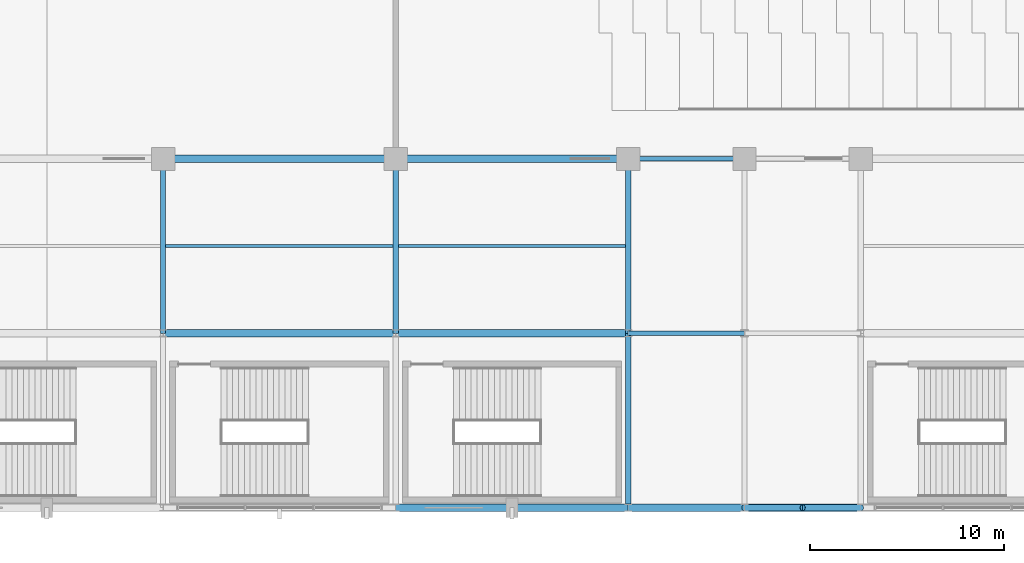
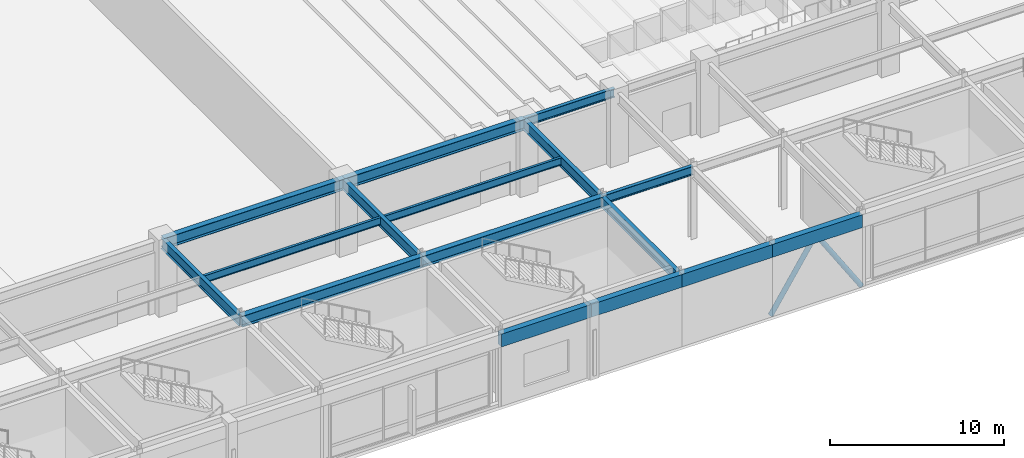
# One storey, part 28 of 100: 16 beams, 2 members.
"""IFC4 building model written with IfcOpenShell, lengths in metres."""

from ifc_helpers import new_model, si_unit, direction, frame, origin, origin_2d, place, context, subcontext, project, spatial, rectangle, hollow_circle, i_section, extrude, material, material_profile, profile_set, type_object, element, save


model = new_model("IFC4")

# Units and contexts
model_context = context("Model", 3, precision=1e-05, world=origin(), true_north=direction((0.0, 1.0)))
body_context = subcontext(model_context, "Body", "Model", "MODEL_VIEW")
ifc_project = project(units=[si_unit("LENGTHUNIT", "METRE"), si_unit("AREAUNIT", "SQUARE_METRE"), si_unit("VOLUMEUNIT", "CUBIC_METRE"), si_unit("PLANEANGLEUNIT", "RADIAN"), si_unit("MASSUNIT", "GRAM", prefix="KILO")], contexts=[model_context])

# Site, building, storey
site_placement = place(None, origin())
site = spatial("IfcSite", under=ifc_project, at=site_placement, CompositionType="ELEMENT")
building_placement = place(site_placement, origin())
building = spatial("IfcBuilding", under=site, at=building_placement, Name="Kaldorvane Square Convention Centre", CompositionType="ELEMENT")
storey_placement = place(building_placement, frame((0.0, 0.0, 18.0)))
storey = spatial("IfcBuildingStorey", under=building, at=storey_placement, Name="L03", CompositionType="ELEMENT", Elevation=18.0)

# Beams
ifc_material_1 = material(Name="Steel ASTM A992 Gr. 50", Category="steel")
ifc_material_profile_1 = material_profile(ifc_material_1, i_section(OverallWidth=0.2303009033203125, OverallDepth=0.61749267578125, WebThickness=0.0131072998046875, FlangeThickness=0.0222015380859375, FilletRadius=0.0126953125, at=origin_2d()), Name="W24X94")
ifc_profile_set_1 = profile_set([ifc_material_profile_1], Name="Steel ASTM A992 Gr. 50")
beam_type_1 = type_object("IfcBeamType", Name="BM-GR-W24X94", PredefinedType="BEAM", material=ifc_profile_set_1)
for number, where, z_axis, x_axis, name in (
    (1, (90.0, 9.0, 4.7671966552734375), (1.0, 0.0, 0.0), (0.0, 1.0, 0.0), "Primary Girder (L03)"),
    (2, (90.0, 18.0, 4.7671966552734375), (1.0, 0.0, 0.0), (0.0, 1.0, 0.0), "Primary Girder (L03)"),
):
    element("IfcBeam", number, at=place(storey_placement, frame(where, z_axis=z_axis, x_axis=x_axis)), inside=storey, type_object=beam_type_1, Name=name, PredefinedType="BEAM", context=body_context, shape_type="SweptSolid", body=[
        extrude(i_section(OverallWidth=0.2303009033203125, OverallDepth=0.61749267578125, WebThickness=0.0131072998046875, FlangeThickness=0.0222015380859375, FilletRadius=0.0126953125, at=origin_2d()), origin(), (0.0, 0.0, 1.0), 6.0),
    ])
ifc_material_profile_2 = material_profile(ifc_material_1, i_section(OverallWidth=0.2666015625, OverallDepth=0.762298583984375, WebThickness=0.014404296875, FlangeThickness=0.0216064453125, FilletRadius=0.0164947509765625, at=origin_2d()), Name="W30X116")
ifc_profile_set_2 = profile_set([ifc_material_profile_2], Name="Steel ASTM A992 Gr. 50")
beam_type_2 = type_object("IfcBeamType", Name="BM-GR-W30X116", PredefinedType="BEAM", material=ifc_profile_set_2)
for number, where, z_axis, x_axis, name in (
    (3, (66.0, 9.0, 4.694793701171875), (0.0, 1.0, 0.0), (-1.0, 0.0, 0.0), "Transverse Girder (L03)"),
    (4, (78.0, 9.0, 4.694793701171875), (0.0, 1.0, 0.0), (-1.0, 0.0, 0.0), "Transverse Girder (L03)"),
    (5, (90.0, 0.0, 4.694793701171875), (0.0, 1.0, 0.0), (-1.0, 0.0, 0.0), "Transverse Girder (L03)"),
    (6, (90.0, 9.0, 4.694793701171875), (0.0, 1.0, 0.0), (-1.0, 0.0, 0.0), "Transverse Girder (L03)"),
):
    element("IfcBeam", number, at=place(storey_placement, frame(where, z_axis=z_axis, x_axis=x_axis)), inside=storey, type_object=beam_type_2, Name=name, PredefinedType="BEAM", context=body_context, shape_type="SweptSolid", body=[
        extrude(i_section(OverallWidth=0.2666015625, OverallDepth=0.762298583984375, WebThickness=0.014404296875, FlangeThickness=0.0216064453125, FilletRadius=0.0164947509765625, at=origin_2d()), origin(), (0.0, 0.0, 1.0), 9.0),
    ])
ifc_material_profile_3 = material_profile(ifc_material_1, i_section(OverallWidth=0.380706787109375, OverallDepth=0.773193359375, WebThickness=0.0166015625, FlangeThickness=0.027099609375, FilletRadius=0.0164947509765625, at=origin_2d()), Name="W30X173")
ifc_profile_set_3 = profile_set([ifc_material_profile_3], Name="Steel ASTM A992 Gr. 50")
beam_type_3 = type_object("IfcBeamType", Name="BM-GR-W30X173", PredefinedType="BEAM", material=ifc_profile_set_3)
for number, where, z_axis, x_axis, name in (
    (7, (66.0, 9.0, 4.6894073486328125), (1.0, 0.0, 0.0), (0.0, 1.0, 0.0), "Primary Girder (L03)"),
    (8, (78.0, 9.0, 4.6894073486328125), (1.0, 0.0, 0.0), (0.0, 1.0, 0.0), "Primary Girder (L03)"),
    (9, (66.0, 18.0, 4.6894073486328125), (1.0, 0.0, 0.0), (0.0, 1.0, 0.0), "Primary Girder (L03)"),
    (10, (78.0, 18.0, 4.6894073486328125), (1.0, 0.0, 0.0), (0.0, 1.0, 0.0), "Primary Girder (L03)"),
):
    element("IfcBeam", number, at=place(storey_placement, frame(where, z_axis=z_axis, x_axis=x_axis)), inside=storey, type_object=beam_type_3, Name=name, PredefinedType="BEAM", context=body_context, shape_type="SweptSolid", body=[
        extrude(i_section(OverallWidth=0.380706787109375, OverallDepth=0.773193359375, WebThickness=0.0166015625, FlangeThickness=0.027099609375, FilletRadius=0.0164947509765625, at=origin_2d()), origin(), (0.0, 0.0, 1.0), 12.0),
    ])
ifc_material_profile_4 = material_profile(ifc_material_1, i_section(OverallWidth=0.1658935546875, OverallDepth=0.5290985107421875, WebThickness=0.00970458984375, FlangeThickness=0.0135955810546875, FilletRadius=0.0126953125, at=origin_2d()), Name="W21X50")
ifc_profile_set_4 = profile_set([ifc_material_profile_4], Name="Steel ASTM A992 Gr. 50")
beam_type_4 = type_object("IfcBeamType", Name="BM-JS-W21X50", PredefinedType="JOIST", material=ifc_profile_set_4)
for number, where, z_axis, x_axis, name in (
    (11, (66.13330078125, 13.5, 4.8114013671875), (1.0, 0.0, 0.0), (0.0, 1.0, 0.0), "Secondary Floor Joist (L03)"),
    (12, (78.13330078125, 13.5, 4.8114013671875), (1.0, 0.0, 0.0), (0.0, 1.0, 0.0), "Secondary Floor Joist (L03)"),
):
    element("IfcBeam", number, at=place(storey_placement, frame(where, z_axis=z_axis, x_axis=x_axis)), inside=storey, type_object=beam_type_4, Name=name, PredefinedType="JOIST", context=body_context, shape_type="SweptSolid", body=[
        extrude(i_section(OverallWidth=0.1658935546875, OverallDepth=0.5290985107421875, WebThickness=0.00970458984375, FlangeThickness=0.0135955810546875, FilletRadius=0.0126953125, at=origin_2d()), origin(), (0.0, 0.0, 1.0), 11.7333984375),
    ])
ifc_material_2 = material(Name="Concrete f'c = 42 MPa (Normalweight)", Category="concrete")
ifc_material_profile_5 = material_profile(ifc_material_2, rectangle(XDim=0.399993896484375, YDim=0.899993896484375, at=origin_2d()), Name="RCSP900X400")
ifc_profile_set_5 = profile_set([ifc_material_profile_5], Name="Concrete f'c = 42 MPa (Normalweight)")
beam_type_5 = type_object("IfcBeamType", Name="BM-SP-RC900", PredefinedType="SPANDREL", material=ifc_profile_set_5)
for number, where, z_axis, x_axis, name in (
    (13, (78.0, 0.0, 4.626007080078125), (1.0, 0.0, 0.0), (0.0, 1.0, 0.0), "Perimeter Spandrel (L03)"),
    (14, (84.0, 0.0, 4.626007080078125), (1.0, 0.0, 0.0), (0.0, 1.0, 0.0), "Perimeter Spandrel (L03)"),
    (15, (90.0, 0.0, 4.626007080078125), (1.0, 0.0, 0.0), (0.0, 1.0, 0.0), "Perimeter Spandrel (L03)"),
    (16, (96.0, 0.0, 4.626007080078125), (1.0, 0.0, 0.0), (0.0, 1.0, 0.0), "Perimeter Spandrel (L03)"),
):
    element("IfcBeam", number, at=place(storey_placement, frame(where, z_axis=z_axis, x_axis=x_axis)), inside=storey, type_object=beam_type_5, Name=name, PredefinedType="SPANDREL", context=body_context, shape_type="SweptSolid", body=[
        extrude(rectangle(XDim=0.399993896484375, YDim=0.899993896484375, at=origin_2d()), origin(), (0.0, 0.0, 1.0), 6.0),
    ])

# Members
ifc_material_3 = material(Name="Steel ASTM A500 Gr. C", Category="steel")
ifc_material_profile_6 = material_profile(ifc_material_3, hollow_circle(Radius=0.161956787109375, WallThickness=0.0117950439453125, at=origin_2d()), Name="HSS12.750X0.500")
ifc_profile_set_6 = profile_set([ifc_material_profile_6], Name="Steel ASTM A500 Gr. C")
member_type = type_object("IfcMemberType", Name="MB-BR-CHS12", PredefinedType="BRACE", material=ifc_profile_set_6)
for number, where, z_axis, x_axis, name in (
    (17, (96.0, 0.0, 0.0), (0.544107711063, 0.0, 0.839015374568), (0.0, 1.0, 0.0), "Seismic Chevron Brace Y0-B2A (L03)"),
    (18, (102.0, 0.0, 0.0), (-0.544107711063, 0.0, 0.839015374568), (0.0, -1.0, 0.0), "Seismic Chevron Brace Y0-B2B (L03)"),
):
    element("IfcMember", number, at=place(storey_placement, frame(where, z_axis=z_axis, x_axis=x_axis)), inside=storey, type_object=member_type, Name=name, PredefinedType="BRACE", context=body_context, shape_type="SweptSolid", body=[
        extrude(hollow_circle(Radius=0.161956787109375, WallThickness=0.0117950439453125, at=origin_2d()), origin(), (0.0, 0.0, 1.0), 5.51361083984375),
    ])

save(model, "model.ifc")
